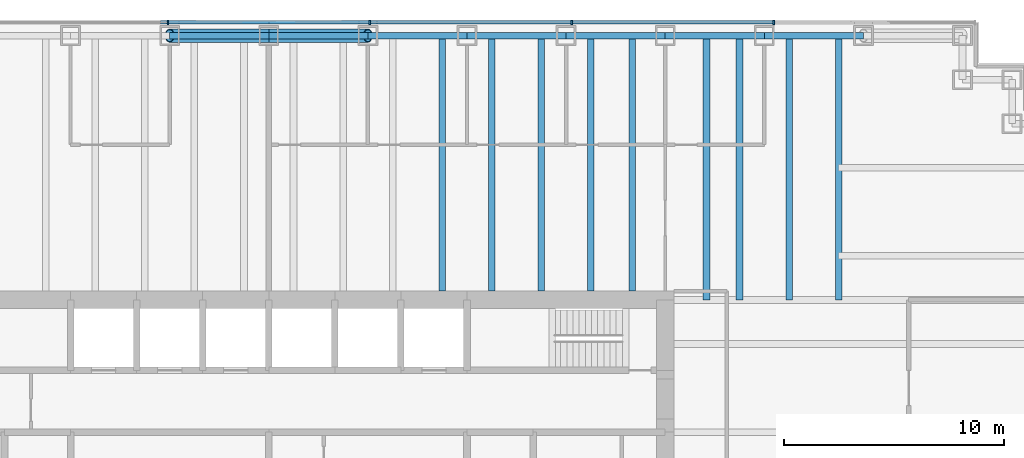
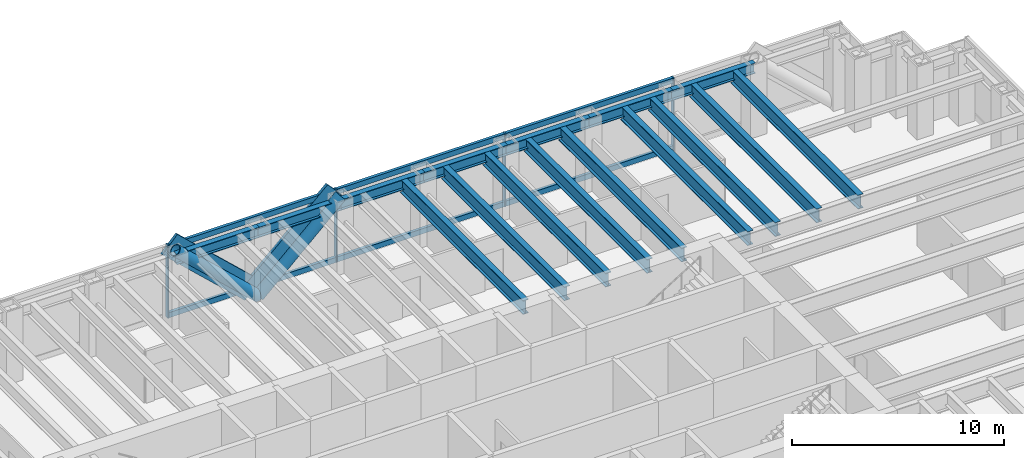
# One storey, part 6 of 18: 16 beams, 14 members, 1 element without a shape of its own.
"""IFC4 building model written with IfcOpenShell, lengths in metres."""

from ifc_helpers import new_model, si_unit, direction, frame, origin, origin_2d, place, context, subcontext, project, spatial, rectangle, hollow_circle, i_section, extrude, material, material_profile, profile_set, type_object, element, aggregate, save


model = new_model("IFC4")

# Units and contexts
model_context = context("Model", 3, precision=1e-05, world=origin(), true_north=direction((0.0, 1.0)))
body_context = subcontext(model_context, "Body", "Model", "MODEL_VIEW")
ifc_project = project(units=[si_unit("LENGTHUNIT", "METRE"), si_unit("AREAUNIT", "SQUARE_METRE"), si_unit("VOLUMEUNIT", "CUBIC_METRE"), si_unit("PLANEANGLEUNIT", "RADIAN"), si_unit("MASSUNIT", "GRAM", prefix="KILO")], contexts=[model_context])

# Site, building, storey
site_placement = place(None, origin())
site = spatial("IfcSite", under=ifc_project, at=site_placement, CompositionType="ELEMENT")
building_placement = place(site_placement, origin())
building = spatial("IfcBuilding", under=site, at=building_placement, Name="Rheinbord Bourse Tower", CompositionType="ELEMENT")
storey_placement = place(building_placement, frame((0.0, 0.0, 244.60009765625)))
storey = spatial("IfcBuildingStorey", under=building, at=storey_placement, Name="L55", CompositionType="ELEMENT", Elevation=244.60009765625)

# Curtain wall, members
ifc_material_1 = material(Name="Dark glass and black aluminium", Category="aluminium")
curtain_wall_type = type_object("IfcCurtainWallType", Name="CW2 DARK GLASS CURTAIN WALL", PredefinedType="USERDEFINED", material=ifc_material_1)
curtain_wall_placement = place(storey_placement, origin())
curtain_wall = element("IfcCurtainWall", 1, at=curtain_wall_placement, inside=storey, type_object=curtain_wall_type, Name="Curtain wall CW2 N L55", ObjectType="UNITISED CURTAIN WALL", PredefinedType="USERDEFINED")
ifc_material_2 = material(Name="Black anodised aluminium", Category="aluminium")
ifc_material_profile_1 = material_profile(ifc_material_2, rectangle(XDim=0.159912109375, YDim=1.2099609375, at=origin_2d()), Name="CW2 DIAGONAL MULLION 1210x160")
ifc_profile_set_1 = profile_set([ifc_material_profile_1], Name="Black anodised aluminium")
member_type_1 = type_object("IfcMemberType", Name="CW2 BLACK DIAGONAL MULLION", PredefinedType="USERDEFINED", material=ifc_profile_set_1)
member_1_placement = place(storey_placement, frame((36.0, 44.60009765625, 0.0), z_axis=(0.73105922506, 0.0, 0.682314010889), x_axis=(0.0, 1.0, 0.0)))
member_1 = element("IfcMember", 2, at=member_1_placement, type_object=member_type_1, Name="CW2 diagonal mullion c", ObjectType="DIAGONAL MULLION", PredefinedType="USERDEFINED", context=body_context, shape_type="SweptSolid", body=[
    extrude(rectangle(XDim=0.159912109375, YDim=1.2099609375, at=origin_2d()), origin(), (0.0, 0.0, 1.0), 6.155517578125),
])
member_2_placement = place(storey_placement, frame((36.0, 44.60009765625, 0.0), z_axis=(-0.73105922506, 0.0, 0.682314010889), x_axis=(0.0, -1.0, 0.0)))
member_2 = element("IfcMember", 3, at=member_2_placement, type_object=member_type_1, Name="CW2 diagonal mullion d", ObjectType="DIAGONAL MULLION", PredefinedType="USERDEFINED", context=body_context, shape_type="SweptSolid", body=[
    extrude(rectangle(XDim=0.159912109375, YDim=1.2099609375, at=origin_2d()), origin(), (0.0, 0.0, 1.0), 6.155517578125),
])
ifc_material_3 = material(Name="Black anodised aluminium", Category="aluminium")
ifc_material_profile_2 = material_profile(ifc_material_3, rectangle(XDim=0.219970703125, YDim=0.070068359375, at=origin_2d()), Name="CW2 MULLION 70x220")
ifc_profile_set_2 = profile_set([ifc_material_profile_2], Name="Black anodised aluminium")
member_type_2 = type_object("IfcMemberType", Name="CW2 BLACK MULLION", PredefinedType="MULLION", material=ifc_profile_set_2)
member_3_placement = place(storey_placement, frame((58.928466796875, 44.60009765625, 0.0), z_axis=(0.0, 0.0, 1.0), x_axis=(0.0, -1.0, 0.0)))
member_3 = element("IfcMember", 4, at=member_3_placement, type_object=member_type_2, Name="CW2 mullion 2", PredefinedType="MULLION", context=body_context, shape_type="SweptSolid", body=[
    extrude(rectangle(XDim=0.219970703125, YDim=0.070068359375, at=origin_2d()), origin(), (0.0, 0.0, 1.0), 4.199951171875),
])
member_4_placement = place(storey_placement, frame((49.757080078125, 44.60009765625, 0.0), z_axis=(0.0, 0.0, 1.0), x_axis=(0.0, -1.0, 0.0)))
member_4 = element("IfcMember", 5, at=member_4_placement, type_object=member_type_2, Name="CW2 mullion 3", PredefinedType="MULLION", context=body_context, shape_type="SweptSolid", body=[
    extrude(rectangle(XDim=0.219970703125, YDim=0.070068359375, at=origin_2d()), origin(), (0.0, 0.0, 1.0), 4.199951171875),
])
member_5_placement = place(storey_placement, frame((40.585693359375, 44.60009765625, 0.0), z_axis=(0.0, 0.0, 1.0), x_axis=(0.0, -1.0, 0.0)))
member_5 = element("IfcMember", 6, at=member_5_placement, type_object=member_type_2, Name="CW2 mullion 4", PredefinedType="MULLION", context=body_context, shape_type="SweptSolid", body=[
    extrude(rectangle(XDim=0.219970703125, YDim=0.070068359375, at=origin_2d()), origin(), (0.0, 0.0, 1.0), 4.199951171875),
])
member_6_placement = place(storey_placement, frame((31.414306640625, 44.60009765625, 0.0), z_axis=(0.0, 0.0, 1.0), x_axis=(0.0, -1.0, 0.0)))
member_6 = element("IfcMember", 7, at=member_6_placement, type_object=member_type_2, Name="CW2 mullion 5", PredefinedType="MULLION", context=body_context, shape_type="SweptSolid", body=[
    extrude(rectangle(XDim=0.219970703125, YDim=0.070068359375, at=origin_2d()), origin(), (0.0, 0.0, 1.0), 4.199951171875),
])
ifc_material_4 = material(Name="Black anodised aluminium", Category="aluminium")
ifc_material_profile_3 = material_profile(ifc_material_4, rectangle(XDim=0.159912109375, YDim=0.300048828125, at=origin_2d()), Name="CW2 TRANSOM 300x160")
ifc_profile_set_3 = profile_set([ifc_material_profile_3], Name="Black anodised aluminium")
member_type_3 = type_object("IfcMemberType", Name="CW2 BLACK TRANSOM", PredefinedType="USERDEFINED", material=ifc_profile_set_3)
member_7_placement = place(storey_placement, frame((58.8935546875, 44.60009765625, 0.14990234375), z_axis=(-1.0, 0.0, 0.0), x_axis=(0.0, -1.0, 0.0)))
member_7 = element("IfcMember", 8, at=member_7_placement, type_object=member_type_3, Name="CW2 transom 2.1", ObjectType="TRANSOM", PredefinedType="USERDEFINED", context=body_context, shape_type="SweptSolid", body=[
    extrude(rectangle(XDim=0.159912109375, YDim=0.300048828125, at=origin_2d()), origin(), (0.0, 0.0, 1.0), 9.101318359375),
])
member_8_placement = place(storey_placement, frame((58.8935546875, 44.60009765625, 4.0498046875), z_axis=(-1.0, 0.0, 0.0), x_axis=(0.0, -1.0, 0.0)))
member_8 = element("IfcMember", 9, at=member_8_placement, type_object=member_type_3, Name="CW2 transom 2.2", ObjectType="TRANSOM", PredefinedType="USERDEFINED", context=body_context, shape_type="SweptSolid", body=[
    extrude(rectangle(XDim=0.159912109375, YDim=0.300048828125, at=origin_2d()), origin(), (0.0, 0.0, 1.0), 9.101318359375),
])
member_9_placement = place(storey_placement, frame((49.72216796875, 44.60009765625, 0.14990234375), z_axis=(-1.0, 0.0, 0.0), x_axis=(0.0, -1.0, 0.0)))
member_9 = element("IfcMember", 10, at=member_9_placement, type_object=member_type_3, Name="CW2 transom 3.1", ObjectType="TRANSOM", PredefinedType="USERDEFINED", context=body_context, shape_type="SweptSolid", body=[
    extrude(rectangle(XDim=0.159912109375, YDim=0.300048828125, at=origin_2d()), origin(), (0.0, 0.0, 1.0), 9.1015625),
])
member_10_placement = place(storey_placement, frame((49.72216796875, 44.60009765625, 4.0498046875), z_axis=(-1.0, 0.0, 0.0), x_axis=(0.0, -1.0, 0.0)))
member_10 = element("IfcMember", 11, at=member_10_placement, type_object=member_type_3, Name="CW2 transom 3.2", ObjectType="TRANSOM", PredefinedType="USERDEFINED", context=body_context, shape_type="SweptSolid", body=[
    extrude(rectangle(XDim=0.159912109375, YDim=0.300048828125, at=origin_2d()), origin(), (0.0, 0.0, 1.0), 9.1015625),
])
member_11_placement = place(storey_placement, frame((40.55078125, 44.60009765625, 0.14990234375), z_axis=(-1.0, 0.0, 0.0), x_axis=(0.0, -1.0, 0.0)))
member_11 = element("IfcMember", 12, at=member_11_placement, type_object=member_type_3, Name="CW2 transom 4.1", ObjectType="TRANSOM", PredefinedType="USERDEFINED", context=body_context, shape_type="SweptSolid", body=[
    extrude(rectangle(XDim=0.159912109375, YDim=0.300048828125, at=origin_2d()), origin(), (0.0, 0.0, 1.0), 9.1015625),
])
member_12_placement = place(storey_placement, frame((40.55078125, 44.60009765625, 4.0498046875), z_axis=(-1.0, 0.0, 0.0), x_axis=(0.0, -1.0, 0.0)))
member_12 = element("IfcMember", 13, at=member_12_placement, type_object=member_type_3, Name="CW2 transom 4.2", ObjectType="TRANSOM", PredefinedType="USERDEFINED", context=body_context, shape_type="SweptSolid", body=[
    extrude(rectangle(XDim=0.159912109375, YDim=0.300048828125, at=origin_2d()), origin(), (0.0, 0.0, 1.0), 9.1015625),
])
aggregate(curtain_wall, [member_3, member_4, member_5, member_6, member_7, member_8, member_9, member_10, member_11, member_12, member_1, member_2])

# Beams
ifc_material_5 = material(Name="Steel S460", Category="steel")
ifc_material_profile_4 = material_profile(ifc_material_5, i_section(OverallWidth=0.300048828125, OverallDepth=0.800048828125, WebThickness=0.017578125, FlangeThickness=0.032958984375, at=origin_2d()), Name="HEB 800")
ifc_profile_set_4 = profile_set([ifc_material_profile_4], Name="Steel S460")
beam_type_1 = type_object("IfcBeamType", Name="FLOOR BEAM HEB 800", PredefinedType="BEAM", material=ifc_profile_set_4)
for number, where, z_axis, x_axis, name in (
    (14, (43.875, 44.0, 3.639892578125), (0.0, -1.0, 0.0), (1.0, 0.0, 0.0), "Floor beam N-40.5b L56"),
    (15, (46.125, 44.0, 3.639892578125), (0.0, -1.0, 0.0), (1.0, 0.0, 0.0), "Floor beam N-45a L56"),
    (16, (48.375, 44.0, 3.639892578125), (0.0, -1.0, 0.0), (1.0, 0.0, 0.0), "Floor beam N-45b L56"),
    (17, (50.625, 44.0, 3.639892578125), (0.0, -1.0, 0.0), (1.0, 0.0, 0.0), "Floor beam N-49.5a L56"),
    (18, (52.5, 44.0, 3.639892578125), (0.0, -1.0, 0.0), (1.0, 0.0, 0.0), "Floor beam N-49.5b L56"),
):
    element("IfcBeam", number, at=place(storey_placement, frame(where, z_axis=z_axis, x_axis=x_axis)), inside=storey, type_object=beam_type_1, Name=name, PredefinedType="BEAM", context=body_context, shape_type="SweptSolid", body=[
        extrude(i_section(OverallWidth=0.300048828125, OverallDepth=0.800048828125, WebThickness=0.017578125, FlangeThickness=0.032958984375, at=origin_2d()), origin(), (0.0, 0.0, 1.0), 11.60009765625),
    ])
for number, where, z_axis, x_axis, name in (
    (19, (55.875, 44.0, 3.639892578125), (0.0, -1.0, 0.0), (1.0, 0.0, 0.0), "Floor beam N-54a L56"),
    (20, (57.375, 44.0, 3.639892578125), (0.0, -1.0, 0.0), (1.0, 0.0, 0.0), "Floor beam N-54b L56"),
    (21, (59.625, 44.0, 3.639892578125), (0.0, -1.0, 0.0), (1.0, 0.0, 0.0), "Floor beam N-58.5a L56"),
    (22, (61.875, 44.0, 3.639892578125), (0.0, -1.0, 0.0), (1.0, 0.0, 0.0), "Floor beam N-58.5b L56"),
):
    element("IfcBeam", number, at=place(storey_placement, frame(where, z_axis=z_axis, x_axis=x_axis)), inside=storey, type_object=beam_type_1, Name=name, PredefinedType="BEAM", context=body_context, shape_type="SweptSolid", body=[
        extrude(i_section(OverallWidth=0.300048828125, OverallDepth=0.800048828125, WebThickness=0.017578125, FlangeThickness=0.032958984375, at=origin_2d()), origin(), (0.0, 0.0, 1.0), 12.0),
    ])

# Members
ifc_material_6 = material(Name="Steel S460", Category="steel")
ifc_material_profile_5 = material_profile(ifc_material_6, hollow_circle(Radius=0.304931640625, WallThickness=0.0400390625, at=origin_2d()), Name="CHS 610x40")
ifc_profile_set_5 = profile_set([ifc_material_profile_5], Name="Steel S460")
member_type_4 = type_object("IfcMemberType", Name="MEGABRACE CHS 610x40", PredefinedType="BRACE", material=ifc_profile_set_5)
for number, where, z_axis, x_axis, name in (
    (23, (36.0, 44.0, 0.0), (0.73105922506, 0.0, 0.682314010889), (0.0, 1.0, 0.0), "Megabrace N face line c L55"),
    (24, (36.0, 44.0, 0.0), (-0.73105922506, 0.0, 0.682314010889), (0.0, -1.0, 0.0), "Megabrace N face line d L55"),
):
    element("IfcMember", number, at=place(storey_placement, frame(where, z_axis=z_axis, x_axis=x_axis)), inside=storey, type_object=member_type_4, Name=name, PredefinedType="BRACE", context=body_context, shape_type="SweptSolid", body=[
        extrude(hollow_circle(Radius=0.304931640625, WallThickness=0.0400390625, at=origin_2d()), origin(), (0.0, 0.0, 1.0), 6.155517578125),
    ])

# Beams
ifc_material_7 = material(Name="Steel S460", Category="steel")
ifc_material_profile_6 = material_profile(ifc_material_7, i_section(OverallWidth=0.300048828125, OverallDepth=0.60009765625, WebThickness=0.015380859375, FlangeThickness=0.030029296875, at=origin_2d()), Name="HEB 600")
ifc_profile_set_6 = profile_set([ifc_material_profile_6], Name="Steel S460")
beam_type_2 = type_object("IfcBeamType", Name="SPANDREL HEB 600", PredefinedType="SPANDREL", material=ifc_profile_set_6)
for number, where, z_axis, x_axis, name in (
    (25, (63.0, 44.0, 3.739990234375), (-1.0, 0.0, 0.0), (0.0, -1.0, 0.0), "Spandrel N-63-N-58.5 under L56"),
    (26, (58.5, 44.0, 3.739990234375), (-1.0, 0.0, 0.0), (0.0, -1.0, 0.0), "Spandrel N-58.5-N-54 under L56"),
    (27, (54.0, 44.0, 3.739990234375), (-1.0, 0.0, 0.0), (0.0, -1.0, 0.0), "Spandrel N-54-N-49.5 under L56"),
    (28, (49.5, 44.0, 3.739990234375), (-1.0, 0.0, 0.0), (0.0, -1.0, 0.0), "Spandrel N-49.5-N-45 under L56"),
    (29, (45.0, 44.0, 3.739990234375), (-1.0, 0.0, 0.0), (0.0, -1.0, 0.0), "Spandrel N-45-N-40.5 under L56"),
    (30, (40.5, 44.0, 3.739990234375), (-1.0, 0.0, 0.0), (0.0, -1.0, 0.0), "Spandrel N-40.5-N-36 under L56"),
    (31, (36.0, 44.0, 3.739990234375), (-1.0, 0.0, 0.0), (0.0, -1.0, 0.0), "Spandrel N-36-N-31.5 under L56"),
):
    element("IfcBeam", number, at=place(storey_placement, frame(where, z_axis=z_axis, x_axis=x_axis)), inside=storey, type_object=beam_type_2, Name=name, PredefinedType="SPANDREL", context=body_context, shape_type="SweptSolid", body=[
        extrude(i_section(OverallWidth=0.300048828125, OverallDepth=0.60009765625, WebThickness=0.015380859375, FlangeThickness=0.030029296875, at=origin_2d()), origin(), (0.0, 0.0, 1.0), 4.5),
    ])

save(model, "model.ifc")
